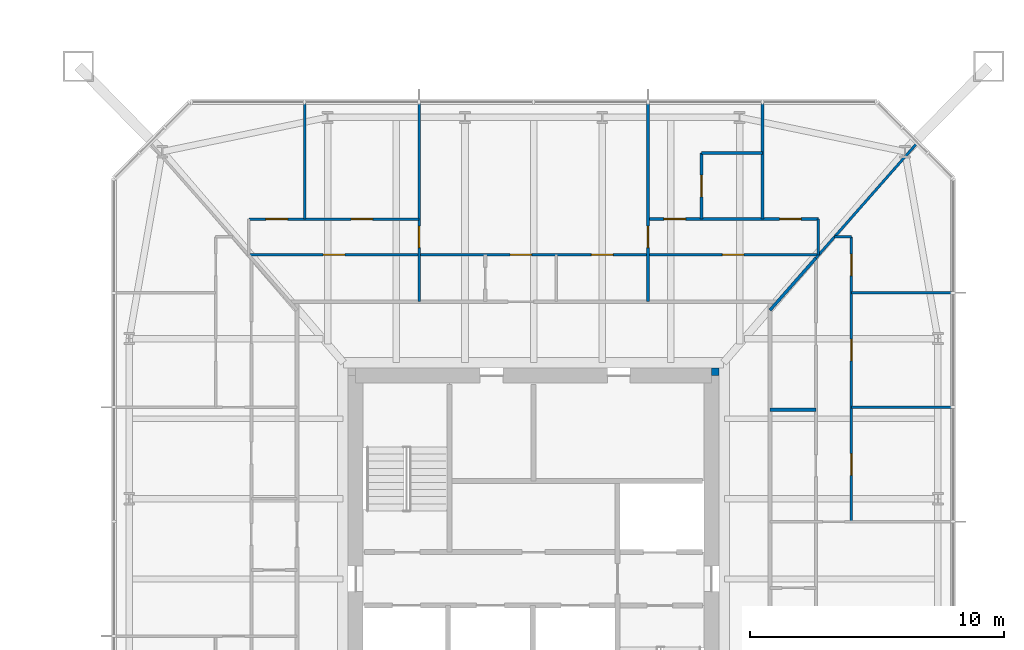
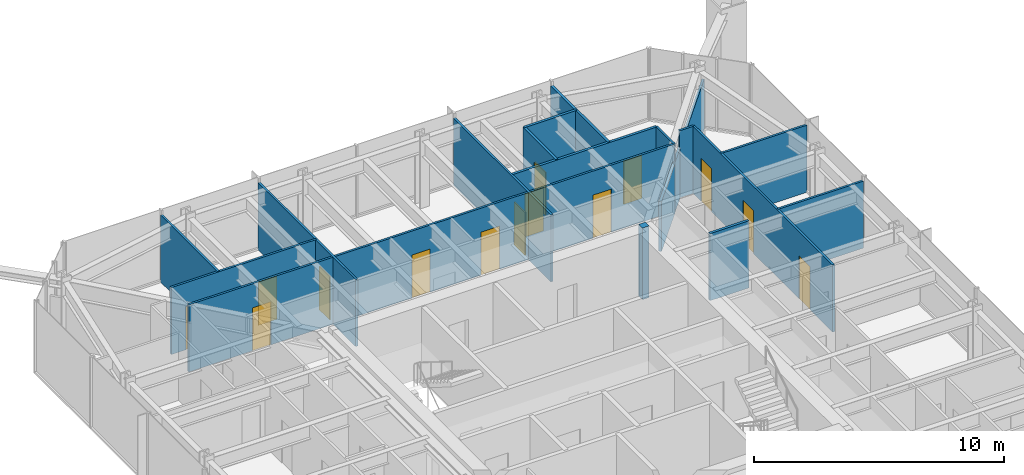
# One storey, part 21 of 26: 18 walls, 14 doors, 14 openings.
"""IFC4 building model written with IfcOpenShell, lengths in metres."""

from ifc_helpers import new_model, si_unit, direction, frame, frame_2d, origin, place, context, subcontext, project, spatial, rectangle, extrude, material, layer, layer_set, type_object, element, fill, save


model = new_model("IFC4")

# Units and contexts
model_context = context("Model", 3, precision=1e-05, world=origin(), true_north=direction((0.0, 1.0)))
body_context = subcontext(model_context, "Body", "Model", "MODEL_VIEW")
ifc_project = project(units=[si_unit("LENGTHUNIT", "METRE"), si_unit("AREAUNIT", "SQUARE_METRE"), si_unit("VOLUMEUNIT", "CUBIC_METRE"), si_unit("PLANEANGLEUNIT", "RADIAN"), si_unit("MASSUNIT", "GRAM", prefix="KILO")], contexts=[model_context])

# Site, building, storey
site_placement = place(None, origin())
site = spatial("IfcSite", under=ifc_project, at=site_placement, CompositionType="ELEMENT")
building_placement = place(site_placement, origin())
building = spatial("IfcBuilding", under=site, at=building_placement, Name="Iwan Alto Co-Living Towers", CompositionType="ELEMENT")
storey_placement = place(building_placement, frame((0.0, 0.0, 39.5)))
storey = spatial("IfcBuildingStorey", under=building, at=storey_placement, Name="L10", CompositionType="ELEMENT", Elevation=39.5)

# Walls
ifc_material_1 = material(Name="Gypsum board")
ifc_layer_1 = layer(ifc_material_1, 0.012451171875, Name="Board", Category="Finish")
ifc_material_2 = material(Name="Steel ASTM A1003 ST33H cold-formed studs", Category="steel")
ifc_layer_2 = layer(ifc_material_2, 0.074951171875, Name="Studs", Category="Framing")
ifc_layer_3 = layer(ifc_material_1, 0.012451171875, Name="Board", Category="Finish")
ifc_layer_set_1 = layer_set([ifc_layer_1, ifc_layer_2, ifc_layer_3], Name="PARTITION 100")
wall_type_1 = type_object("IfcWallType", Name="PARTITION 100", PredefinedType="PARTITIONING", material=ifc_layer_set_1)
for number, where, z_axis, x_axis, name in (
    (1, (75.5, 6.75, 0.0), (0.0, 0.0, 1.0), (1.0, 0.0, 0.0), "Partition L10"),
    (2, (75.5, 11.25, 0.0), (0.0, 0.0, 1.0), (1.0, 0.0, 0.0), "Partition L10"),
):
    element("IfcWall", number, at=place(storey_placement, frame(where, z_axis=z_axis, x_axis=x_axis)), inside=storey, type_object=wall_type_1, Name=name, PredefinedType="PARTITIONING", context=body_context, shape_type="SweptSolid", body=[
        extrude(rectangle(XDim=3.93994140625, YDim=0.10009765625, at=frame_2d((1.969970703125, 0.0))), origin(), (0.0, 0.0, 1.0), 3.27001953125),
    ])

# Wall, openings, doors
wall_1_placement = place(storey_placement, frame((51.800048828125, 12.75, 0.0), z_axis=(0.0, 0.0, 1.0), x_axis=(1.0, 0.0, 0.0)))
wall_1 = element("IfcWall", 3, at=wall_1_placement, inside=storey, type_object=wall_type_1, Name="Partition L10", PredefinedType="PARTITIONING", context=body_context, shape_type="SweptSolid", body=[
    extrude(rectangle(XDim=22.39990234375, YDim=0.10009765625, at=frame_2d((11.199951171875, 0.0))), origin(), (0.0, 0.0, 1.0), 3.27001953125),
])
opening_1_placement = place(wall_1_placement, frame((13.47509765625, 0.0, 0.0)))
opening_1 = element("IfcOpeningElement", 4, at=opening_1_placement, cuts=wall_1, Name="Opening D2", PredefinedType="OPENING", context=body_context, shape_type="SweptSolid", body=[
    extrude(rectangle(XDim=0.85009765625, YDim=2.10009765625, at=frame_2d((0.425048828125, 1.050048828125))), frame((0.0, 0.06005859375, 0.0), z_axis=(0.0, -1.0, 0.0), x_axis=(1.0, 0.0, 0.0)), (0.0, 0.0, 1.0), 0.1201171875),
])
opening_2_placement = place(wall_1_placement, frame((10.27490234375, 0.0, 0.0)))
opening_2 = element("IfcOpeningElement", 5, at=opening_2_placement, cuts=wall_1, Name="Opening D2", PredefinedType="OPENING", context=body_context, shape_type="SweptSolid", body=[
    extrude(rectangle(XDim=0.85009765625, YDim=2.10009765625, at=frame_2d((0.425048828125, 1.050048828125))), frame((0.0, 0.06005859375, 0.0), z_axis=(0.0, -1.0, 0.0), x_axis=(1.0, 0.0, 0.0)), (0.0, 0.0, 1.0), 0.1201171875),
])
opening_3_placement = place(wall_1_placement, frame((18.625, 0.0, 0.0)))
opening_3 = element("IfcOpeningElement", 6, at=opening_3_placement, cuts=wall_1, Name="Opening D2", PredefinedType="OPENING", context=body_context, shape_type="SweptSolid", body=[
    extrude(rectangle(XDim=0.85009765625, YDim=2.10009765625, at=frame_2d((0.425048828125, 1.050048828125))), frame((0.0, 0.06005859375, 0.0), z_axis=(0.0, -1.0, 0.0), x_axis=(1.0, 0.0, 0.0)), (0.0, 0.0, 1.0), 0.1201171875),
])
opening_4_placement = place(wall_1_placement, frame((2.925048828125, 0.0, 0.0)))
opening_4 = element("IfcOpeningElement", 7, at=opening_4_placement, cuts=wall_1, Name="Opening D2", PredefinedType="OPENING", context=body_context, shape_type="SweptSolid", body=[
    extrude(rectangle(XDim=0.85009765625, YDim=2.10009765625, at=frame_2d((0.425048828125, 1.050048828125))), frame((0.0, 0.06005859375, 0.0), z_axis=(0.0, -1.0, 0.0), x_axis=(1.0, 0.0, 0.0)), (0.0, 0.0, 1.0), 0.1201171875),
])
ifc_material_3 = material(Name="Timber leaf in steel frame", Category="steel")
door_type = type_object("IfcDoorType", Name="ROOM DOOR 850X2100", OperationType="SINGLE_SWING_LEFT", PredefinedType="DOOR", material=ifc_material_3)
door_1_placement = place(opening_1_placement, origin())
door_1 = element("IfcDoor", 8, at=door_1_placement, inside=storey, type_object=door_type, Name="Kitchen door L10", OperationType="SINGLE_SWING_RIGHT", OverallHeight=2.10009765625, OverallWidth=0.85009765625, PredefinedType="DOOR", context=body_context, shape_type="SweptSolid", body=[
    extrude(rectangle(XDim=0.85009765625, YDim=2.10009765625, at=frame_2d((0.425048828125, 1.050048828125))), frame((0.0, 0.02490234375, 0.0), z_axis=(0.0, -1.0, 0.0), x_axis=(1.0, 0.0, 0.0)), (0.0, 0.0, 1.0), 0.050048828125),
])
fill(opening_1, door_1)
door_2_placement = place(opening_2_placement, origin())
door_2 = element("IfcDoor", 9, at=door_2_placement, inside=storey, type_object=door_type, Name="Apartment foyer door L10", OperationType="SINGLE_SWING_LEFT", OverallHeight=2.10009765625, OverallWidth=0.85009765625, PredefinedType="DOOR", context=body_context, shape_type="SweptSolid", body=[
    extrude(rectangle(XDim=0.85009765625, YDim=2.10009765625, at=frame_2d((0.425048828125, 1.050048828125))), frame((0.0, 0.02490234375, 0.0), z_axis=(0.0, -1.0, 0.0), x_axis=(1.0, 0.0, 0.0)), (0.0, 0.0, 1.0), 0.050048828125),
])
fill(opening_2, door_2)
door_3_placement = place(opening_3_placement, frame((0.85009765625, 0.0, 0.0), z_axis=(0.0, 0.0, 1.0), x_axis=(-1.0, 0.0, 0.0)))
door_3 = element("IfcDoor", 10, at=door_3_placement, inside=storey, type_object=door_type, Name="Utility room door L10", OperationType="SINGLE_SWING_LEFT", OverallHeight=2.10009765625, OverallWidth=0.85009765625, PredefinedType="DOOR", context=body_context, shape_type="SweptSolid", body=[
    extrude(rectangle(XDim=0.85009765625, YDim=2.10009765625, at=frame_2d((0.425048828125, 1.050048828125))), frame((0.0, 0.02490234375, 0.0), z_axis=(0.0, -1.0, 0.0), x_axis=(1.0, 0.0, 0.0)), (0.0, 0.0, 1.0), 0.050048828125),
])
fill(opening_3, door_3)
door_4_placement = place(opening_4_placement, frame((0.85009765625, 0.0, 0.0), z_axis=(0.0, 0.0, 1.0), x_axis=(-1.0, 0.0, 0.0)))
door_4 = element("IfcDoor", 11, at=door_4_placement, inside=storey, type_object=door_type, Name="Utility room door L10", OperationType="SINGLE_SWING_RIGHT", OverallHeight=2.10009765625, OverallWidth=0.85009765625, PredefinedType="DOOR", context=body_context, shape_type="SweptSolid", body=[
    extrude(rectangle(XDim=0.85009765625, YDim=2.10009765625, at=frame_2d((0.425048828125, 1.050048828125))), frame((0.0, 0.02490234375, 0.0), z_axis=(0.0, -1.0, 0.0), x_axis=(1.0, 0.0, 0.0)), (0.0, 0.0, 1.0), 0.050048828125),
])
fill(opening_4, door_4)

# Wall
wall_2_placement = place(storey_placement, frame((74.8359375, 13.449951171875, 0.0), z_axis=(0.0, 0.0, 1.0), x_axis=(1.0, 0.0, 0.0)))
element("IfcWall", 12, at=wall_2_placement, inside=storey, type_object=wall_type_1, Name="Partition L10", PredefinedType="PARTITIONING", context=body_context, shape_type="SweptSolid", body=[
    extrude(rectangle(XDim=0.6640625, YDim=0.10009765625, at=frame_2d((0.33203125, 0.0))), origin(), (0.0, 0.0, 1.0), 3.27001953125),
])

# Wall, openings, doors
wall_3_placement = place(storey_placement, frame((51.800048828125, 14.14990234375, 0.0), z_axis=(0.0, 0.0, 1.0), x_axis=(1.0, 0.0, 0.0)))
wall_3 = element("IfcWall", 13, at=wall_3_placement, inside=storey, type_object=wall_type_1, Name="Partition L10", PredefinedType="PARTITIONING", context=body_context, shape_type="SweptSolid", body=[
    extrude(rectangle(XDim=6.699951171875, YDim=0.10009765625, at=frame_2d((3.35009765625, 0.0))), origin(), (0.0, 0.0, 1.0), 3.27001953125),
])
opening_5_placement = place(wall_3_placement, frame((4.02490234375, 0.0, 0.0)))
opening_5 = element("IfcOpeningElement", 14, at=opening_5_placement, cuts=wall_3, Name="Opening D2", PredefinedType="OPENING", context=body_context, shape_type="SweptSolid", body=[
    extrude(rectangle(XDim=0.85009765625, YDim=2.10009765625, at=frame_2d((0.425048828125, 1.050048828125))), frame((0.0, 0.06005859375, 0.0), z_axis=(0.0, -1.0, 0.0), x_axis=(1.0, 0.0, 0.0)), (0.0, 0.0, 1.0), 0.1201171875),
])
opening_6_placement = place(wall_3_placement, frame((0.675048828125, 0.0, 0.0)))
opening_6 = element("IfcOpeningElement", 15, at=opening_6_placement, cuts=wall_3, Name="Opening D2", PredefinedType="OPENING", context=body_context, shape_type="SweptSolid", body=[
    extrude(rectangle(XDim=0.85009765625, YDim=2.10009765625, at=frame_2d((0.425048828125, 1.050048828125))), frame((0.0, 0.06005859375, 0.0), z_axis=(0.0, -1.0, 0.0), x_axis=(1.0, 0.0, 0.0)), (0.0, 0.0, 1.0), 0.1201171875),
])
door_5_placement = place(opening_5_placement, origin())
door_5 = element("IfcDoor", 16, at=door_5_placement, inside=storey, type_object=door_type, Name="Study door L10", OperationType="SINGLE_SWING_LEFT", OverallHeight=2.10009765625, OverallWidth=0.85009765625, PredefinedType="DOOR", context=body_context, shape_type="SweptSolid", body=[
    extrude(rectangle(XDim=0.85009765625, YDim=2.10009765625, at=frame_2d((0.425048828125, 1.050048828125))), frame((0.0, 0.02490234375, 0.0), z_axis=(0.0, -1.0, 0.0), x_axis=(1.0, 0.0, 0.0)), (0.0, 0.0, 1.0), 0.050048828125),
])
fill(opening_5, door_5)
door_6_placement = place(opening_6_placement, origin())
door_6 = element("IfcDoor", 17, at=door_6_placement, inside=storey, type_object=door_type, Name="Bedroom door L10", OperationType="SINGLE_SWING_RIGHT", OverallHeight=2.10009765625, OverallWidth=0.85009765625, PredefinedType="DOOR", context=body_context, shape_type="SweptSolid", body=[
    extrude(rectangle(XDim=0.85009765625, YDim=2.10009765625, at=frame_2d((0.425048828125, 1.050048828125))), frame((0.0, 0.02490234375, 0.0), z_axis=(0.0, -1.0, 0.0), x_axis=(1.0, 0.0, 0.0)), (0.0, 0.0, 1.0), 0.050048828125),
])
fill(opening_6, door_6)

# Wall
wall_4_placement = place(storey_placement, frame((74.10009765625, 12.614013671875, 0.0), z_axis=(0.0, 0.0, 1.0), x_axis=(0.660755619739, 0.750601099775, 0.0)))
element("IfcWall", 18, at=wall_4_placement, inside=storey, type_object=wall_type_1, Name="Partition L10", PredefinedType="PARTITIONING", context=body_context, shape_type="SweptSolid", body=[
    extrude(rectangle(XDim=5.989013671875, YDim=0.10009765625, at=frame_2d((2.99462890625, 0.0))), origin(), (0.0, 0.0, 1.0), 2.42919921875),
])

# Wall, openings, doors
wall_5_placement = place(storey_placement, frame((75.5, 2.25, 0.0), z_axis=(0.0, 0.0, 1.0), x_axis=(0.0, 1.0, 0.0)))
wall_5 = element("IfcWall", 19, at=wall_5_placement, inside=storey, type_object=wall_type_1, Name="Partition L10", PredefinedType="PARTITIONING", context=body_context, shape_type="SweptSolid", body=[
    extrude(rectangle(XDim=11.199951171875, YDim=0.10009765625, at=frame_2d((5.60009765625, 0.0))), origin(), (0.0, 0.0, 1.0), 3.27001953125),
])
opening_7_placement = place(wall_5_placement, frame((1.824951171875, 0.0, 0.0)))
opening_7 = element("IfcOpeningElement", 20, at=opening_7_placement, cuts=wall_5, Name="Opening D2", PredefinedType="OPENING", context=body_context, shape_type="SweptSolid", body=[
    extrude(rectangle(XDim=0.85009765625, YDim=2.10009765625, at=frame_2d((0.425048828125, 1.050048828125))), frame((0.0, 0.06005859375, 0.0), z_axis=(0.0, -1.0, 0.0), x_axis=(1.0, 0.0, 0.0)), (0.0, 0.0, 1.0), 0.1201171875),
])
opening_8_placement = place(wall_5_placement, frame((6.324951171875, 0.0, 0.0)))
opening_8 = element("IfcOpeningElement", 21, at=opening_8_placement, cuts=wall_5, Name="Opening D2", PredefinedType="OPENING", context=body_context, shape_type="SweptSolid", body=[
    extrude(rectangle(XDim=0.85009765625, YDim=2.10009765625, at=frame_2d((0.425048828125, 1.050048828125))), frame((0.0, 0.06005859375, 0.0), z_axis=(0.0, -1.0, 0.0), x_axis=(1.0, 0.0, 0.0)), (0.0, 0.0, 1.0), 0.1201171875),
])
opening_9_placement = place(wall_5_placement, frame((9.675048828125, 0.0, 0.0)))
opening_9 = element("IfcOpeningElement", 22, at=opening_9_placement, cuts=wall_5, Name="Opening D2", PredefinedType="OPENING", context=body_context, shape_type="SweptSolid", body=[
    extrude(rectangle(XDim=0.85009765625, YDim=2.10009765625, at=frame_2d((0.425048828125, 1.050048828125))), frame((0.0, 0.06005859375, 0.0), z_axis=(0.0, -1.0, 0.0), x_axis=(1.0, 0.0, 0.0)), (0.0, 0.0, 1.0), 0.1201171875),
])
door_7_placement = place(opening_7_placement, frame((0.85009765625, 0.0, 0.0), z_axis=(0.0, 0.0, 1.0), x_axis=(-1.0, 0.0, 0.0)))
door_7 = element("IfcDoor", 23, at=door_7_placement, inside=storey, type_object=door_type, Name="Family room door L10", OperationType="SINGLE_SWING_RIGHT", OverallHeight=2.10009765625, OverallWidth=0.85009765625, PredefinedType="DOOR", context=body_context, shape_type="SweptSolid", body=[
    extrude(rectangle(XDim=0.85009765625, YDim=2.10009765625, at=frame_2d((0.425048828125, 1.050048828125))), frame((0.0, 0.02490234375, 0.0), z_axis=(0.0, -1.0, 0.0), x_axis=(1.0, 0.0, 0.0)), (0.0, 0.0, 1.0), 0.050048828125),
])
fill(opening_7, door_7)
door_8_placement = place(opening_8_placement, frame((0.85009765625, 0.0, 0.0), z_axis=(0.0, 0.0, 1.0), x_axis=(-1.0, 0.0, 0.0)))
door_8 = element("IfcDoor", 24, at=door_8_placement, inside=storey, type_object=door_type, Name="Bedroom door L10", OperationType="SINGLE_SWING_RIGHT", OverallHeight=2.10009765625, OverallWidth=0.85009765625, PredefinedType="DOOR", context=body_context, shape_type="SweptSolid", body=[
    extrude(rectangle(XDim=0.85009765625, YDim=2.10009765625, at=frame_2d((0.425048828125, 1.050048828125))), frame((0.0, 0.02490234375, 0.0), z_axis=(0.0, -1.0, 0.0), x_axis=(1.0, 0.0, 0.0)), (0.0, 0.0, 1.0), 0.050048828125),
])
fill(opening_8, door_8)
door_9_placement = place(opening_9_placement, frame((0.85009765625, 0.0, 0.0), z_axis=(0.0, 0.0, 1.0), x_axis=(-1.0, 0.0, 0.0)))
door_9 = element("IfcDoor", 25, at=door_9_placement, inside=storey, type_object=door_type, Name="Study door L10", OperationType="SINGLE_SWING_RIGHT", OverallHeight=2.10009765625, OverallWidth=0.85009765625, PredefinedType="DOOR", context=body_context, shape_type="SweptSolid", body=[
    extrude(rectangle(XDim=0.85009765625, YDim=2.10009765625, at=frame_2d((0.425048828125, 1.050048828125))), frame((0.0, 0.02490234375, 0.0), z_axis=(0.0, -1.0, 0.0), x_axis=(1.0, 0.0, 0.0)), (0.0, 0.0, 1.0), 0.050048828125),
])
fill(opening_9, door_9)

# Wall
wall_6_placement = place(storey_placement, frame((74.199951171875, 12.72705078125, 0.0), z_axis=(0.0, 0.0, 1.0), x_axis=(0.0, 1.0, 0.0)))
element("IfcWall", 26, at=wall_6_placement, inside=storey, type_object=wall_type_1, Name="Partition L10", PredefinedType="PARTITIONING", context=body_context, shape_type="SweptSolid", body=[
    extrude(rectangle(XDim=1.4228515625, YDim=0.10009765625, at=frame_2d((0.71142578125, 0.0))), origin(), (0.0, 0.0, 1.0), 3.27001953125),
])

# Wall, opening, door
wall_7_placement = place(storey_placement, frame((67.5, 10.89990234375, 0.0), z_axis=(0.0, 0.0, 1.0), x_axis=(0.0, 1.0, 0.0)))
wall_7 = element("IfcWall", 27, at=wall_7_placement, inside=storey, type_object=wall_type_1, Name="Partition L10", PredefinedType="PARTITIONING", context=body_context, shape_type="SweptSolid", body=[
    extrude(rectangle(XDim=7.7900390625, YDim=0.10009765625, at=frame_2d((3.89501953125, 0.0))), origin(), (0.0, 0.0, 1.0), 3.27001953125),
])
opening_10_placement = place(wall_7_placement, frame((2.125, 0.0, 0.0)))
opening_10 = element("IfcOpeningElement", 28, at=opening_10_placement, cuts=wall_7, Name="Opening D2", PredefinedType="OPENING", context=body_context, shape_type="SweptSolid", body=[
    extrude(rectangle(XDim=0.85009765625, YDim=2.10009765625, at=frame_2d((0.425048828125, 1.050048828125))), frame((0.0, 0.06005859375, 0.0), z_axis=(0.0, -1.0, 0.0), x_axis=(1.0, 0.0, 0.0)), (0.0, 0.0, 1.0), 0.1201171875),
])
door_10_placement = place(opening_10_placement, origin())
door_10 = element("IfcDoor", 29, at=door_10_placement, inside=storey, type_object=door_type, Name="Apartment hall door L10", OperationType="SINGLE_SWING_LEFT", OverallHeight=2.10009765625, OverallWidth=0.85009765625, PredefinedType="DOOR", context=body_context, shape_type="SweptSolid", body=[
    extrude(rectangle(XDim=0.85009765625, YDim=2.10009765625, at=frame_2d((0.425048828125, 1.050048828125))), frame((0.0, 0.02490234375, 0.0), z_axis=(0.0, -1.0, 0.0), x_axis=(1.0, 0.0, 0.0)), (0.0, 0.0, 1.0), 0.050048828125),
])
fill(opening_10, door_10)

wall_8_placement = place(storey_placement, frame((58.5, 10.89990234375, 0.0), z_axis=(0.0, 0.0, 1.0), x_axis=(0.0, 1.0, 0.0)))
wall_8 = element("IfcWall", 30, at=wall_8_placement, inside=storey, type_object=wall_type_1, Name="Partition L10", PredefinedType="PARTITIONING", context=body_context, shape_type="SweptSolid", body=[
    extrude(rectangle(XDim=7.7900390625, YDim=0.10009765625, at=frame_2d((3.89501953125, 0.0))), origin(), (0.0, 0.0, 1.0), 3.27001953125),
])
opening_11_placement = place(wall_8_placement, frame((2.125, 0.0, 0.0)))
opening_11 = element("IfcOpeningElement", 31, at=opening_11_placement, cuts=wall_8, Name="Opening D2", PredefinedType="OPENING", context=body_context, shape_type="SweptSolid", body=[
    extrude(rectangle(XDim=0.85009765625, YDim=2.10009765625, at=frame_2d((0.425048828125, 1.050048828125))), frame((0.0, 0.06005859375, 0.0), z_axis=(0.0, -1.0, 0.0), x_axis=(1.0, 0.0, 0.0)), (0.0, 0.0, 1.0), 0.1201171875),
])
door_11_placement = place(opening_11_placement, frame((0.85009765625, 0.0, 0.0), z_axis=(0.0, 0.0, 1.0), x_axis=(-1.0, 0.0, 0.0)))
door_11 = element("IfcDoor", 32, at=door_11_placement, inside=storey, type_object=door_type, Name="Apartment hall door L10", OperationType="SINGLE_SWING_RIGHT", OverallHeight=2.10009765625, OverallWidth=0.85009765625, PredefinedType="DOOR", context=body_context, shape_type="SweptSolid", body=[
    extrude(rectangle(XDim=0.85009765625, YDim=2.10009765625, at=frame_2d((0.425048828125, 1.050048828125))), frame((0.0, 0.02490234375, 0.0), z_axis=(0.0, -1.0, 0.0), x_axis=(1.0, 0.0, 0.0)), (0.0, 0.0, 1.0), 0.050048828125),
])
fill(opening_11, door_11)

# Walls
wall_9_placement = place(storey_placement, frame((54.0, 14.14990234375, 0.0), z_axis=(0.0, 0.0, 1.0), x_axis=(0.0, 1.0, 0.0)))
element("IfcWall", 33, at=wall_9_placement, inside=storey, type_object=wall_type_1, Name="Partition L10", PredefinedType="PARTITIONING", context=body_context, shape_type="SweptSolid", body=[
    extrude(rectangle(XDim=4.5400390625, YDim=0.10009765625, at=frame_2d((2.27001953125, 0.0))), origin(), (0.0, 0.0, 1.0), 3.27001953125),
])
ifc_material_4 = material(Name="Concrete f'c 70 MPa", Category="concrete")
ifc_layer_4 = layer(ifc_material_4, 0.300048828125)
ifc_layer_set_2 = layer_set([ifc_layer_4], Name="T2 CORE CORNER FILL 300")
wall_type_2 = type_object("IfcWallType", Name="T2 CORE CORNER FILL 300", PredefinedType="SOLIDWALL", material=ifc_layer_set_2)
wall_10_placement = place(storey_placement, frame((70.0, 8.14990234375, 0.0), z_axis=(0.0, 0.0, 1.0), x_axis=(1.0, 0.0, 0.0)))
element("IfcWall", 34, at=wall_10_placement, inside=storey, type_object=wall_type_2, Name="T2 core corner NE L10", PredefinedType="SOLIDWALL", context=body_context, shape_type="SweptSolid", body=[
    extrude(rectangle(XDim=0.300048828125, YDim=0.300048828125, at=frame_2d((0.14990234375, 0.0))), origin(), (0.0, 0.0, 1.0), 3.5),
])
ifc_material_5 = material(Name="Cement board")
ifc_layer_5 = layer(ifc_material_5, 0.012451171875, Name="Board", Category="Finish")
ifc_layer_6 = layer(ifc_material_2, 0.094970703125, Name="Studs", Category="Framing")
ifc_layer_7 = layer(ifc_material_5, 0.012451171875, Name="Board", Category="Finish")
ifc_layer_set_3 = layer_set([ifc_layer_5, ifc_layer_6, ifc_layer_7], Name="WET AREA PARTITION 120")
wall_type_3 = type_object("IfcWallType", Name="WET AREA PARTITION 120", PredefinedType="PARTITIONING", material=ifc_layer_set_3)
wall_11_placement = place(storey_placement, frame((72.300048828125, 6.64990234375, 0.0), z_axis=(0.0, 0.0, 1.0), x_axis=(1.0, 0.0, 0.0)))
element("IfcWall", 35, at=wall_11_placement, inside=storey, type_object=wall_type_3, Name="Partition L10", PredefinedType="PARTITIONING", context=body_context, shape_type="SweptSolid", body=[
    extrude(rectangle(XDim=1.800048828125, YDim=0.1201171875, at=frame_2d((0.89990234375, 0.0))), origin(), (0.0, 0.0, 1.0), 3.27001953125),
])

# Wall, openings, doors
wall_12_placement = place(storey_placement, frame((67.5, 14.14990234375, 0.0), z_axis=(0.0, 0.0, 1.0), x_axis=(1.0, 0.0, 0.0)))
wall_12 = element("IfcWall", 36, at=wall_12_placement, inside=storey, type_object=wall_type_3, Name="Partition L10", PredefinedType="PARTITIONING", context=body_context, shape_type="SweptSolid", body=[
    extrude(rectangle(XDim=6.699951171875, YDim=0.1201171875, at=frame_2d((3.35009765625, 0.0))), origin(), (0.0, 0.0, 1.0), 3.27001953125),
])
opening_12_placement = place(wall_12_placement, frame((0.625, 0.0, 0.0)))
opening_12 = element("IfcOpeningElement", 37, at=opening_12_placement, cuts=wall_12, Name="Opening D2", PredefinedType="OPENING", context=body_context, shape_type="SweptSolid", body=[
    extrude(rectangle(XDim=0.85009765625, YDim=2.10009765625, at=frame_2d((0.425048828125, 1.050048828125))), frame((0.0, 0.070068359375, 0.0), z_axis=(0.0, -1.0, 0.0), x_axis=(1.0, 0.0, 0.0)), (0.0, 0.0, 1.0), 0.14013671875),
])
opening_13_placement = place(wall_12_placement, frame((5.175048828125, 0.0, 0.0)))
opening_13 = element("IfcOpeningElement", 38, at=opening_13_placement, cuts=wall_12, Name="Opening D2", PredefinedType="OPENING", context=body_context, shape_type="SweptSolid", body=[
    extrude(rectangle(XDim=0.85009765625, YDim=2.10009765625, at=frame_2d((0.425048828125, 1.050048828125))), frame((0.0, 0.070068359375, 0.0), z_axis=(0.0, -1.0, 0.0), x_axis=(1.0, 0.0, 0.0)), (0.0, 0.0, 1.0), 0.14013671875),
])
door_12_placement = place(opening_12_placement, origin())
door_12 = element("IfcDoor", 39, at=door_12_placement, inside=storey, type_object=door_type, Name="Bedroom door L10", OperationType="SINGLE_SWING_LEFT", OverallHeight=2.10009765625, OverallWidth=0.85009765625, PredefinedType="DOOR", context=body_context, shape_type="SweptSolid", body=[
    extrude(rectangle(XDim=0.85009765625, YDim=2.10009765625, at=frame_2d((0.425048828125, 1.050048828125))), frame((0.0, 0.02490234375, 0.0), z_axis=(0.0, -1.0, 0.0), x_axis=(1.0, 0.0, 0.0)), (0.0, 0.0, 1.0), 0.050048828125),
])
fill(opening_12, door_12)
door_13_placement = place(opening_13_placement, origin())
door_13 = element("IfcDoor", 40, at=door_13_placement, inside=storey, type_object=door_type, Name="Bedroom door L10", OperationType="SINGLE_SWING_LEFT", OverallHeight=2.10009765625, OverallWidth=0.85009765625, PredefinedType="DOOR", context=body_context, shape_type="SweptSolid", body=[
    extrude(rectangle(XDim=0.85009765625, YDim=2.10009765625, at=frame_2d((0.425048828125, 1.050048828125))), frame((0.0, 0.02490234375, 0.0), z_axis=(0.0, -1.0, 0.0), x_axis=(1.0, 0.0, 0.0)), (0.0, 0.0, 1.0), 0.050048828125),
])
fill(opening_13, door_13)

# Walls
wall_13_placement = place(storey_placement, frame((69.60009765625, 16.75, 0.0), z_axis=(0.0, 0.0, 1.0), x_axis=(1.0, 0.0, 0.0)))
element("IfcWall", 41, at=wall_13_placement, inside=storey, type_object=wall_type_3, Name="Partition L10", PredefinedType="PARTITIONING", context=body_context, shape_type="SweptSolid", body=[
    extrude(rectangle(XDim=2.39990234375, YDim=0.1201171875, at=frame_2d((1.199951171875, 0.0))), origin(), (0.0, 0.0, 1.0), 3.27001953125),
])
wall_14_placement = place(storey_placement, frame((72.29931640625, 10.568603515625, 0.0), z_axis=(0.0, 0.0, 1.0), x_axis=(0.660797520752, 0.750564212155, 0.0)))
element("IfcWall", 42, at=wall_14_placement, inside=storey, type_object=wall_type_3, Name="Partition L10", PredefinedType="PARTITIONING", context=body_context, shape_type="SweptSolid", body=[
    extrude(rectangle(XDim=2.72509765625, YDim=0.1201171875, at=frame_2d((1.362548828125, 0.0))), origin(), (0.0, 0.0, 1.0), 2.42919921875),
])
wall_15_placement = place(storey_placement, frame((72.0, 14.14990234375, 0.0), z_axis=(0.0, 0.0, 1.0), x_axis=(0.0, 1.0, 0.0)))
element("IfcWall", 43, at=wall_15_placement, inside=storey, type_object=wall_type_3, Name="Partition L10", PredefinedType="PARTITIONING", context=body_context, shape_type="SweptSolid", body=[
    extrude(rectangle(XDim=4.5400390625, YDim=0.1201171875, at=frame_2d((2.27001953125, 0.0))), origin(), (0.0, 0.0, 1.0), 3.27001953125),
])

# Wall, opening, door
wall_16_placement = place(storey_placement, frame((69.60009765625, 14.14990234375, 0.0), z_axis=(0.0, 0.0, 1.0), x_axis=(0.0, 1.0, 0.0)))
wall_16 = element("IfcWall", 44, at=wall_16_placement, inside=storey, type_object=wall_type_3, Name="Partition L10", PredefinedType="PARTITIONING", context=body_context, shape_type="SweptSolid", body=[
    extrude(rectangle(XDim=2.60009765625, YDim=0.1201171875, at=frame_2d((1.300048828125, 0.0))), origin(), (0.0, 0.0, 1.0), 3.27001953125),
])
opening_14_placement = place(wall_16_placement, frame((0.875, 0.0, 0.0)))
opening_14 = element("IfcOpeningElement", 45, at=opening_14_placement, cuts=wall_16, Name="Opening D2", PredefinedType="OPENING", context=body_context, shape_type="SweptSolid", body=[
    extrude(rectangle(XDim=0.85009765625, YDim=2.10009765625, at=frame_2d((0.425048828125, 1.050048828125))), frame((0.0, 0.070068359375, 0.0), z_axis=(0.0, -1.0, 0.0), x_axis=(1.0, 0.0, 0.0)), (0.0, 0.0, 1.0), 0.14013671875),
])
door_14_placement = place(opening_14_placement, origin())
door_14 = element("IfcDoor", 46, at=door_14_placement, inside=storey, type_object=door_type, Name="En-suite shower room door L10", OperationType="SINGLE_SWING_LEFT", OverallHeight=2.10009765625, OverallWidth=0.85009765625, PredefinedType="DOOR", context=body_context, shape_type="SweptSolid", body=[
    extrude(rectangle(XDim=0.85009765625, YDim=2.10009765625, at=frame_2d((0.425048828125, 1.050048828125))), frame((0.0, 0.02490234375, 0.0), z_axis=(0.0, -1.0, 0.0), x_axis=(1.0, 0.0, 0.0)), (0.0, 0.0, 1.0), 0.050048828125),
])
fill(opening_14, door_14)

save(model, "model.ifc")
